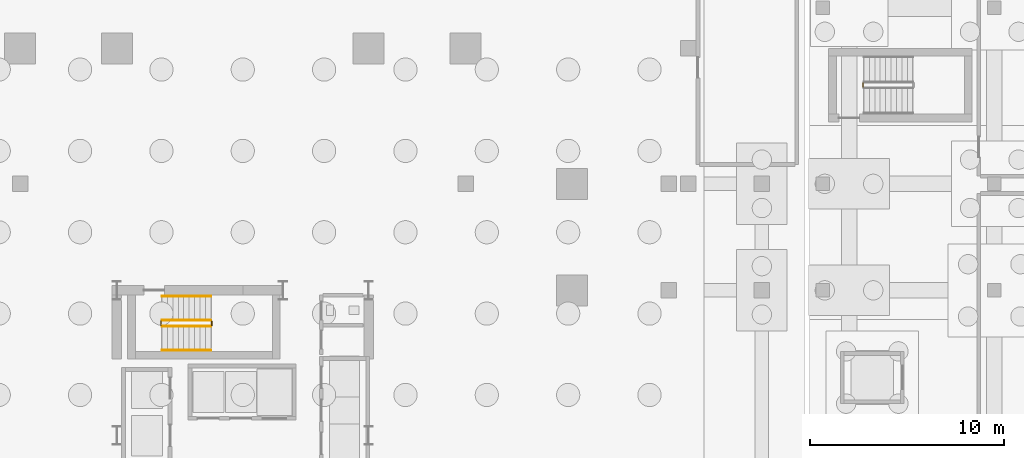
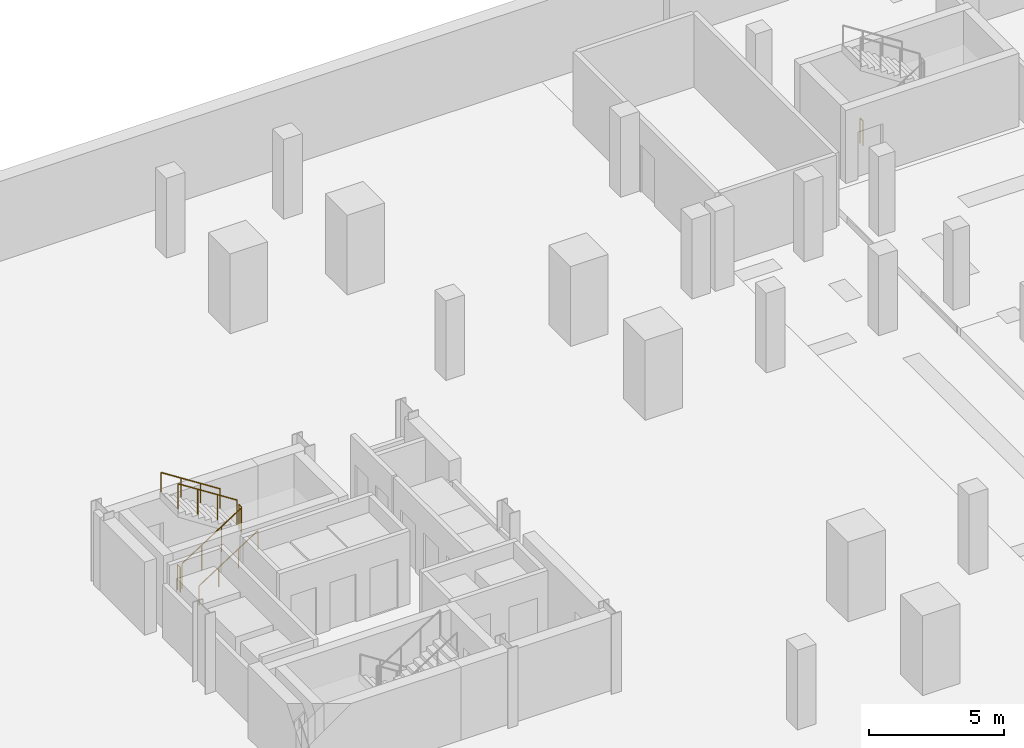
# One storey, part 10 of 13: 7 railings.
"""IFC4 building model written with IfcOpenShell, lengths in metres."""

import ifcopenshell
import ifcopenshell.guid

model = None  # the IFC model being written
_history = None  # IfcOwnerHistory: only IFC2X3 demands one
_inside = {}  # id of a spatial element -> (the spatial element, [elements in it])
_under = {}  # id of a project, library or spatial element -> (it, [spatial elements below it])
_declared = {}  # id of a project -> (the project, [libraries it declares])
_typed = {}  # id of a type object -> (the type object, [elements of that type])
_made_of = {}  # id of a material, layer set ... -> (it, [elements and type objects made of it])


def new_model(schema):
    """Start an empty IFC model of exactly this schema.

    Asked for "IFC4X3", IfcOpenShell would pick the latest addendum, in which some entities
    have other attributes; the version numbers below select the first issue.
    IFC2X3 requires an IfcOwnerHistory on every rooted entity: one is made here for all.
    """
    global model, _history
    if schema == "IFC4X3":
        model = ifcopenshell.file(schema_version=(4, 3, 0, 0))
    else:
        model = ifcopenshell.file(schema=schema)
    _inside.clear()
    _under.clear()
    _declared.clear()
    _typed.clear()
    _made_of.clear()
    _history = None
    if model.schema == "IFC2X3":
        org = make("IfcOrganization", Name="unknown")
        user = make(
            "IfcPersonAndOrganization",
            ThePerson=make("IfcPerson", FamilyName="unknown"),
            TheOrganization=org,
        )
        app = make(
            "IfcApplication",
            ApplicationDeveloper=org,
            Version="unknown",
            ApplicationFullName="unknown",
            ApplicationIdentifier="unknown",
        )
        _history = make(
            "IfcOwnerHistory",
            OwningUser=user,
            OwningApplication=app,
            ChangeAction="ADDED",
            CreationDate=0,
        )
    return model


def make(cls, **values):
    """One entity of the class cls with the attributes given. An attribute that is None is left unset."""
    return model.create_entity(
        cls, **{name: value for name, value in values.items() if value is not None}
    )


def rooted(cls, **values):
    """An entity with a GlobalId (a new one), such as an element, a storey or a relation."""
    return make(cls, GlobalId=ifcopenshell.guid.new(), OwnerHistory=_history, **values)


def si_unit(unit_type, name, prefix=None):
    """IfcSIUnit, for example si_unit("LENGTHUNIT", "METRE", prefix="MILLI")."""
    return make("IfcSIUnit", UnitType=unit_type, Prefix=prefix, Name=name)


def assignment(units):
    """IfcUnitAssignment: the units of a project."""
    return None if units is None else make("IfcUnitAssignment", Units=units)


def point(xyz):
    """IfcCartesianPoint."""
    return None if xyz is None else make("IfcCartesianPoint", Coordinates=xyz)


def direction(xyz):
    """IfcDirection."""
    return None if xyz is None else make("IfcDirection", DirectionRatios=xyz)


def frame(location, z_axis=None, x_axis=None):
    """IfcAxis2Placement3D, a coordinate frame: its origin and axes. An axis left out is left unset."""
    return make(
        "IfcAxis2Placement3D",
        Location=point(location),
        Axis=direction(z_axis),
        RefDirection=direction(x_axis),
    )


def frame_2d(location, x_axis=None):
    """IfcAxis2Placement2D, a coordinate frame in the plane: its origin and x axis."""
    return make(
        "IfcAxis2Placement2D", Location=point(location), RefDirection=direction(x_axis)
    )


def origin():
    """The frame at (0, 0, 0) with its axes left unset."""
    return frame((0.0, 0.0, 0.0))


def origin_2d():
    """The frame at (0, 0) in the plane with its x axis left unset."""
    return frame_2d((0.0, 0.0))


def place(relative_to, where):
    """IfcLocalPlacement: puts the frame where relative to a parent placement (None: the world)."""
    return make(
        "IfcLocalPlacement", PlacementRelTo=relative_to, RelativePlacement=where
    )


def context(
    kind, dimensions, precision=None, world=None, true_north=None, identifier=None
):
    """IfcGeometricRepresentationContext, for example the 3D "Model" context."""
    return make(
        "IfcGeometricRepresentationContext",
        ContextIdentifier=identifier,
        ContextType=kind,
        CoordinateSpaceDimension=dimensions,
        Precision=precision,
        WorldCoordinateSystem=world,
        TrueNorth=true_north,
    )


def subcontext(parent, identifier, kind, view, scale=None):
    """IfcGeometricRepresentationSubContext, for example "Body" below "Model"."""
    return make(
        "IfcGeometricRepresentationSubContext",
        ContextIdentifier=identifier,
        ContextType=kind,
        ParentContext=parent,
        TargetScale=scale,
        TargetView=view,
    )


def project(units=None, contexts=None):
    """IfcProject with its units and contexts."""
    return rooted(
        "IfcProject",
        Name="project",
        RepresentationContexts=contexts,
        UnitsInContext=assignment(units),
    )


def spatial(cls, under=None, at=None, **own):
    """A site, building, storey or space (cls), placed at a placement, below another one or the project."""
    s = rooted(cls, ObjectPlacement=at, **own)
    if under is not None:
        _under.setdefault(under.id(), (under, []))[1].append(s)
    return s


def profile(cls, at=None, kind="AREA", **sizes):
    """A parametric profile (cls). Its sizes go by their IFC names, for example OverallWidth=200.0."""
    return make(cls, ProfileType=kind, Position=at, **sizes)


def circle(**sizes):
    """IfcCircleProfileDef."""
    return profile("IfcCircleProfileDef", **sizes)


def extrude(swept, where, along, depth):
    """IfcExtrudedAreaSolid: the profile swept, set in the frame where, extruded along a direction by depth."""
    return make(
        "IfcExtrudedAreaSolid",
        SweptArea=swept,
        Position=where,
        ExtrudedDirection=direction(along),
        Depth=depth,
    )


def shape(context_of_items, identifier, shape_type, items):
    """IfcShapeRepresentation: the items that make up one representation, for example the "Body"."""
    return make(
        "IfcShapeRepresentation",
        ContextOfItems=context_of_items,
        RepresentationIdentifier=identifier,
        RepresentationType=shape_type,
        Items=items,
    )


def material(Name=None, Category=None):
    """IfcMaterial."""
    return make("IfcMaterial", Name=Name, Category=Category)


def made_of(thing, what):
    """Note that an element or type object is made of a material, layer set ...; save() writes the relation."""
    if what is not None:
        _made_of.setdefault(what.id(), (what, []))[1].append(thing)
    return thing


def type_object(cls, material=None, **own):
    """A type object (cls), such as IfcWallType, which elements share."""
    return made_of(rooted(cls, **own), material)


def element(
    cls,
    number,
    at=None,
    inside=None,
    cuts=None,
    type_object=None,
    material=None,
    context=None,
    identifier="Body",
    shape_type=None,
    held_by="IfcProductDefinitionShape",
    body=None,
    shapes=None,
    **own,
):
    """One element of the class cls, such as IfcWall. Its Tag is "e" and its number.

    at: its placement. inside: the storey or other place that contains it. cuts: it is an
    opening in that element (IfcRelVoidsElement). A single representation is given by context,
    identifier, shape_type and body (its items); several are given by shapes. held_by: the class
    of the entity that holds the representations. save() writes the other relations.
    """
    e = rooted(cls, Tag="e%d" % number, ObjectPlacement=at, **own)
    if body is not None:
        shapes = [shape(context, identifier, shape_type, body)]
    if shapes is not None:
        e.Representation = make(held_by, Representations=shapes)
    if inside is not None:
        _inside.setdefault(inside.id(), (inside, []))[1].append(e)
    if cuts is not None:
        rooted(
            "IfcRelVoidsElement", RelatingBuildingElement=cuts, RelatedOpeningElement=e
        )
    if type_object is not None:
        _typed.setdefault(type_object.id(), (type_object, []))[1].append(e)
    return made_of(e, material)


def aggregate(whole, parts):
    """IfcRelAggregates: a whole, such as a stair, and the parts it consists of."""
    return rooted("IfcRelAggregates", RelatingObject=whole, RelatedObjects=parts)


def save(model, path):
    """Write the relations noted so far, then the file.

    IfcRelAggregates (storeys below a building ...), IfcRelContainedInSpatialStructure (elements
    in a storey), IfcRelDefinesByType, IfcRelAssociatesMaterial and IfcRelDeclares: one each for
    every whole, place, type object, material and project.
    """
    for whole, parts in _under.values():
        aggregate(whole, parts)
    for where, things in _inside.values():
        rooted(
            "IfcRelContainedInSpatialStructure",
            RelatedElements=things,
            RelatingStructure=where,
        )
    for kind, things in _typed.values():
        rooted("IfcRelDefinesByType", RelatedObjects=things, RelatingType=kind)
    for what, things in _made_of.values():
        rooted("IfcRelAssociatesMaterial", RelatedObjects=things, RelatingMaterial=what)
    for by, libraries in _declared.values():
        rooted("IfcRelDeclares", RelatingContext=by, RelatedDefinitions=libraries)
    model.write(path)


model = new_model("IFC4")

# Units and contexts
model_context = context("Model", 3, precision=1e-05, world=origin(), true_north=direction((0.0, 1.0)))
body_context = subcontext(model_context, "Body", "Model", "MODEL_VIEW")
ifc_project = project(units=[si_unit("LENGTHUNIT", "METRE"), si_unit("AREAUNIT", "SQUARE_METRE"), si_unit("VOLUMEUNIT", "CUBIC_METRE"), si_unit("PLANEANGLEUNIT", "RADIAN"), si_unit("MASSUNIT", "GRAM", prefix="KILO")], contexts=[model_context])

# Site, building, storey
site_placement = place(None, origin())
site = spatial("IfcSite", under=ifc_project, at=site_placement, CompositionType="ELEMENT")
building_placement = place(site_placement, origin())
building = spatial("IfcBuilding", under=site, at=building_placement, Name="Barlavira Tower and Art Museum", CompositionType="ELEMENT")
storey_placement = place(building_placement, frame((0.0, 0.0, -7.199951171875)))
storey = spatial("IfcBuildingStorey", under=building, at=storey_placement, Name="B02", CompositionType="ELEMENT", Elevation=-7.199951171875)

# Railings
ifc_material = material(Name="Brushed stainless steel", Category="steel")
railing_type_1 = type_object("IfcRailingType", Name="Interior Void and Landing Guard Railing 1150", PredefinedType="GUARDRAIL", material=ifc_material)
railing_1_placement = place(storey_placement, frame((-4.169921875, 5.64990234375, 0.179931640625)))
element("IfcRailing", 1, at=railing_1_placement, inside=storey, type_object=railing_type_1, Name="B02 ST-T2 stair guard 1", PredefinedType="GUARDRAIL", context=body_context, shape_type="SweptSolid", body=[
    extrude(circle(Radius=0.02392578125, at=origin_2d()), frame((0.0, 0.0, 1.1259765625), z_axis=(0.841162588446, 0.0, 0.540782303519), x_axis=(0.0, 1.0, 0.0)), (0.0, 0.0, 1.0), 2.995849609375),
    extrude(circle(Radius=0.02099609375, at=origin_2d()), origin(), (0.0, 0.0, 1.0), 1.101806640625),
    extrude(circle(Radius=0.02099609375, at=origin_2d()), frame((0.840087890625, 0.0, 0.5400390625)), (0.0, 0.0, 1.0), 1.101806640625),
    extrude(circle(Radius=0.02099609375, at=origin_2d()), frame((1.679931640625, 0.0, 1.080078125)), (0.0, 0.0, 1.0), 1.101806640625),
    extrude(circle(Radius=0.02099609375, at=origin_2d()), frame((2.52001953125, 0.0, 1.6201171875)), (0.0, 0.0, 1.0), 1.101806640625),
])
railing_2_placement = place(storey_placement, frame((-1.60009765625, 5.699951171875, 1.800048828125)))
element("IfcRailing", 2, at=railing_2_placement, inside=storey, type_object=railing_type_1, Name="B02 ST-T2 stair guard 2", PredefinedType="GUARDRAIL", context=body_context, shape_type="SweptSolid", body=[
    extrude(circle(Radius=0.02392578125, at=origin_2d()), frame((0.0, 0.0, 1.1259765625), z_axis=(0.0, 1.0, 0.0), x_axis=(-1.0, 0.0, 0.0)), (0.0, 0.0, 1.0), 0.199951171875),
    extrude(circle(Radius=0.02099609375, at=origin_2d()), origin(), (0.0, 0.0, 1.0), 1.101806640625),
    extrude(circle(Radius=0.02099609375, at=origin_2d()), frame((0.0, 0.199951171875, 0.0)), (0.0, 0.0, 1.0), 1.101806640625),
])
railing_3_placement = place(storey_placement, frame((-1.64990234375, 5.949951171875, 1.97998046875)))
element("IfcRailing", 3, at=railing_3_placement, inside=storey, type_object=railing_type_1, Name="B02 ST-T2 stair guard 3", PredefinedType="GUARDRAIL", context=body_context, shape_type="SweptSolid", body=[
    extrude(circle(Radius=0.02392578125, at=origin_2d()), frame((0.0, 0.0, 1.1259765625), z_axis=(-0.841199657755, 0.0, 0.540724639528), x_axis=(0.0, -1.0, 0.0)), (0.0, 0.0, 1.0), 2.995849609375),
    extrude(circle(Radius=0.02099609375, at=origin_2d()), origin(), (0.0, 0.0, 1.0), 1.101806640625),
    extrude(circle(Radius=0.02099609375, at=origin_2d()), frame((-0.840087890625, 0.0, 0.5400390625)), (0.0, 0.0, 1.0), 1.101806640625),
    extrude(circle(Radius=0.02099609375, at=origin_2d()), frame((-1.679931640625, 0.0, 1.079833984375)), (0.0, 0.0, 1.0), 1.101806640625),
    extrude(circle(Radius=0.02099609375, at=origin_2d()), frame((-2.52001953125, 0.0, 1.619873046875)), (0.0, 0.0, 1.0), 1.101806640625),
])
for number, where, name in (
    (4, (-4.219970703125, 5.699951171875, 0.0), "B02 ST-T2 stair guard 4"),
    (5, (32.02001953125, 18.0, 0.0), "B02 ST-M2 stair guard 4"),
):
    element("IfcRailing", number, at=place(storey_placement, frame(where)), inside=storey, type_object=railing_type_1, Name=name, PredefinedType="GUARDRAIL", context=body_context, shape_type="SweptSolid", body=[
        extrude(circle(Radius=0.02392578125, at=origin_2d()), frame((0.0, 0.0, 1.1259765625), z_axis=(0.0, 1.0, 0.0), x_axis=(-1.0, 0.0, 0.0)), (0.0, 0.0, 1.0), 0.199951171875),
        extrude(circle(Radius=0.02099609375, at=origin_2d()), origin(), (0.0, 0.0, 1.0), 1.101806640625),
        extrude(circle(Radius=0.02099609375, at=origin_2d()), frame((0.0, 0.199951171875, 0.0)), (0.0, 0.0, 1.0), 1.101806640625),
    ])
railing_type_2 = type_object("IfcRailingType", Name="Stair Pitch Tubular Steel Handrail 920", PredefinedType="HANDRAIL", material=ifc_material)
railing_4_placement = place(storey_placement, frame((-4.169921875, 4.39990234375, 0.179931640625)))
element("IfcRailing", 6, at=railing_4_placement, inside=storey, type_object=railing_type_2, Name="B02 ST-T2 stair handrail 1", PredefinedType="HANDRAIL", context=body_context, shape_type="SweptSolid", body=[
    extrude(circle(Radius=0.02392578125, at=origin_2d()), frame((0.0, 0.0, 0.8759765625), z_axis=(0.841162588446, 0.0, 0.540782303519), x_axis=(0.0, 1.0, 0.0)), (0.0, 0.0, 1.0), 2.995849609375),
    extrude(circle(Radius=0.02099609375, at=origin_2d()), origin(), (0.0, 0.0, 1.0), 0.851806640625),
    extrude(circle(Radius=0.02099609375, at=origin_2d()), frame((0.840087890625, 0.0, 0.5400390625)), (0.0, 0.0, 1.0), 0.851806640625),
    extrude(circle(Radius=0.02099609375, at=origin_2d()), frame((1.679931640625, 0.0, 1.080078125)), (0.0, 0.0, 1.0), 0.851806640625),
    extrude(circle(Radius=0.02099609375, at=origin_2d()), frame((2.52001953125, 0.0, 1.6201171875)), (0.0, 0.0, 1.0), 0.851806640625),
])
railing_5_placement = place(storey_placement, frame((-1.64990234375, 7.199951171875, 1.97998046875)))
element("IfcRailing", 7, at=railing_5_placement, inside=storey, type_object=railing_type_2, Name="B02 ST-T2 stair handrail 2", PredefinedType="HANDRAIL", context=body_context, shape_type="SweptSolid", body=[
    extrude(circle(Radius=0.02392578125, at=origin_2d()), frame((0.0, 0.0, 0.8759765625), z_axis=(-0.841199657755, 0.0, 0.540724639528), x_axis=(0.0, -1.0, 0.0)), (0.0, 0.0, 1.0), 2.995849609375),
    extrude(circle(Radius=0.02099609375, at=origin_2d()), origin(), (0.0, 0.0, 1.0), 0.851806640625),
    extrude(circle(Radius=0.02099609375, at=origin_2d()), frame((-0.840087890625, 0.0, 0.5400390625)), (0.0, 0.0, 1.0), 0.851806640625),
    extrude(circle(Radius=0.02099609375, at=origin_2d()), frame((-1.679931640625, 0.0, 1.079833984375)), (0.0, 0.0, 1.0), 0.851806640625),
    extrude(circle(Radius=0.02099609375, at=origin_2d()), frame((-2.52001953125, 0.0, 1.619873046875)), (0.0, 0.0, 1.0), 0.851806640625),
])

save(model, "model.ifc")
